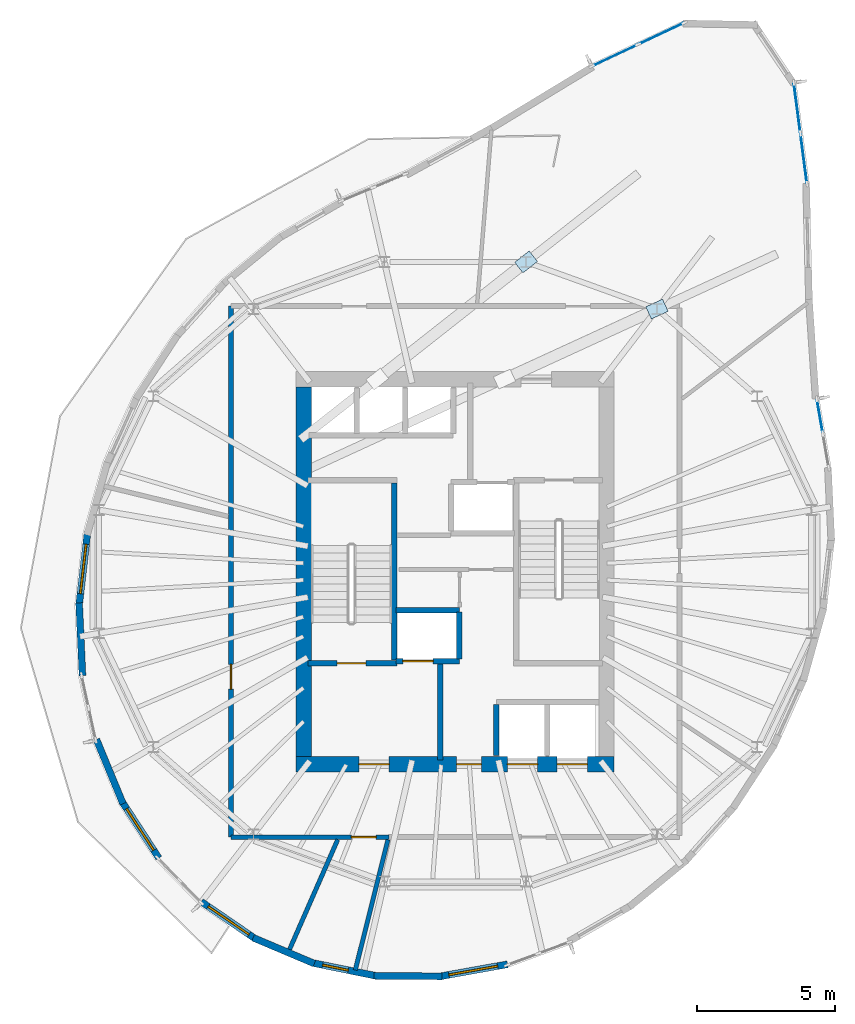
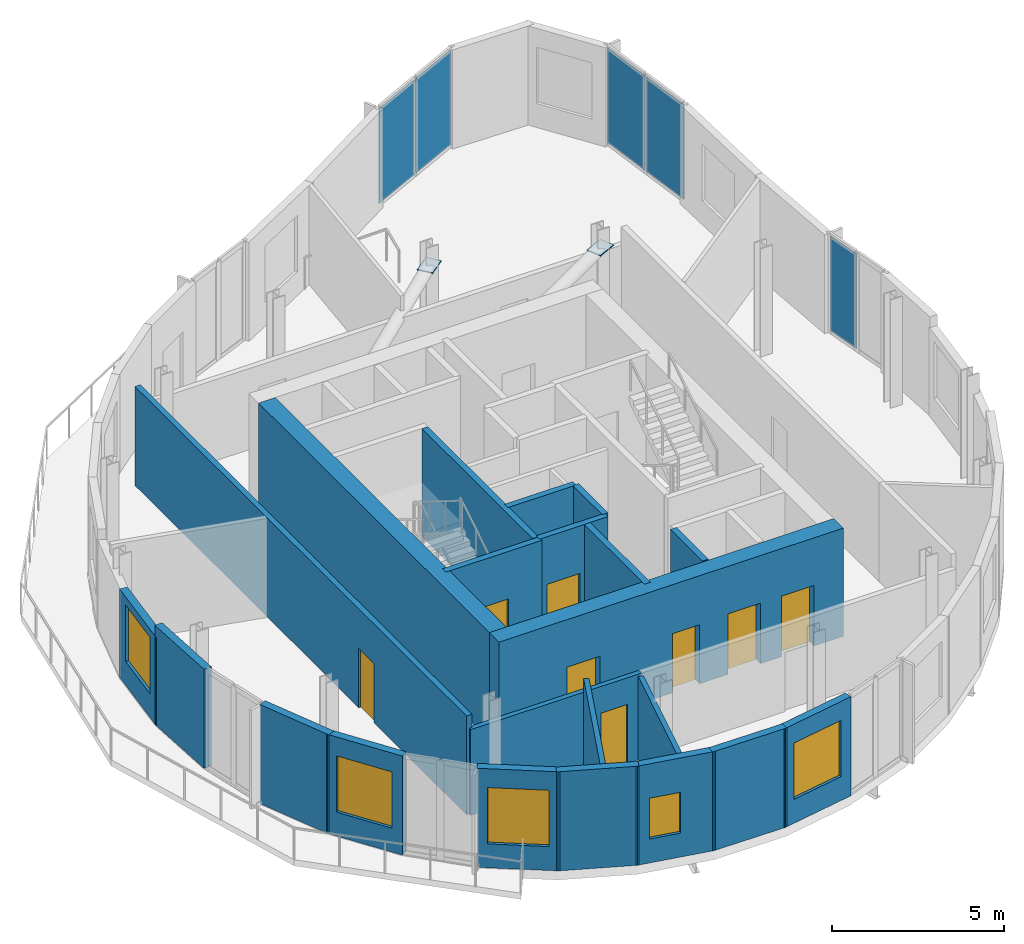
# One storey, part 4 of 8: 22 walls, 8 doors, 7 plates, 5 windows, 13 openings, 3 elements without a shape of their own.
"""IFC4 building model written with IfcOpenShell, lengths in metres."""

from ifc_helpers import new_model, si_unit, direction, frame, frame_2d, origin, origin_2d, place, context, subcontext, project, spatial, rectangle, extrude, material, layer, layer_set, type_object, element, fill, aggregate, save


model = new_model("IFC4")

# Units and contexts
model_context = context("Model", 3, precision=1e-05, world=origin(), true_north=direction((0.0, 1.0)))
body_context = subcontext(model_context, "Body", "Model", "MODEL_VIEW")
ifc_project = project(units=[si_unit("LENGTHUNIT", "METRE"), si_unit("AREAUNIT", "SQUARE_METRE"), si_unit("VOLUMEUNIT", "CUBIC_METRE"), si_unit("PLANEANGLEUNIT", "RADIAN"), si_unit("MASSUNIT", "GRAM", prefix="KILO")], contexts=[model_context])

# Site, building, storey
site_placement = place(None, origin())
site = spatial("IfcSite", under=ifc_project, at=site_placement, CompositionType="ELEMENT")
building_placement = place(site_placement, origin())
building = spatial("IfcBuilding", under=site, at=building_placement, Name="Veldorim Arch Residences", CompositionType="ELEMENT")
storey_placement = place(building_placement, frame((0.0, 0.0, 243.0400390625)))
storey = spatial("IfcBuildingStorey", under=building, at=storey_placement, Name="L73", CompositionType="ELEMENT", Elevation=243.0400390625)

# Curtain wall, plates
ifc_material_1 = material(Name="Aluminium", Category="aluminium")
curtain_wall_type = type_object("IfcCurtainWallType", Name="Sky Lounge & Conservatory Tall Curtain Wall", PredefinedType="NOTDEFINED", material=ifc_material_1)
curtain_wall_1_placement = place(storey_placement, origin())
curtain_wall_1 = element("IfcCurtainWall", 1, at=curtain_wall_1_placement, inside=storey, type_object=curtain_wall_type, Name="L73 unitised curtain wall bay 02", PredefinedType="NOTDEFINED")
ifc_material_2 = material(Name="Laminated Low-E Glass", Category="glass")
ifc_layer_1 = layer(ifc_material_2, 0.031982421875, Name="Sky Lounge & Conservatory Tall Curtain Wall Glazing Panel 32")
ifc_layer_set_1 = layer_set([ifc_layer_1], Name="Laminated Low-E Glass")
plate_type_1 = type_object("IfcPlateType", Name="Sky Lounge & Conservatory Tall Curtain Wall Glazing Panel 32", PredefinedType="CURTAIN_PANEL", material=ifc_layer_set_1)
plate_1_placement = place(storey_placement, frame((37.808349609375, 42.7666015625, 0.080078125), z_axis=(0.0, 0.0, 1.0), x_axis=(0.904968826681, 0.425477875731, 0.0)))
plate_1 = element("IfcPlate", 2, at=plate_1_placement, type_object=plate_type_1, Name="CW-SKY panel 1.1", PredefinedType="CURTAIN_PANEL", context=body_context, shape_type="SweptSolid", body=[
    extrude(rectangle(XDim=1.781494140625, YDim=0.031982421875, at=origin_2d()), origin(), (0.0, 0.0, 1.0), 3.360107421875),
])
plate_2_placement = place(storey_placement, frame((39.492919921875, 43.55859375, 0.080078125), z_axis=(0.0, 0.0, 1.0), x_axis=(0.904968826681, 0.425477875731, 0.0)))
plate_2 = element("IfcPlate", 3, at=plate_2_placement, type_object=plate_type_1, Name="CW-SKY panel 2.1", PredefinedType="CURTAIN_PANEL", context=body_context, shape_type="SweptSolid", body=[
    extrude(rectangle(XDim=1.781494140625, YDim=0.031982421875, at=origin_2d()), origin(), (0.0, 0.0, 1.0), 3.360107421875),
])
aggregate(curtain_wall_1, [plate_1, plate_2])

# Curtain wall, plate
curtain_wall_2_placement = place(storey_placement, origin())
curtain_wall_2 = element("IfcCurtainWall", 4, at=curtain_wall_2_placement, inside=storey, type_object=curtain_wall_type, Name="L73 unitised curtain wall bay 32", PredefinedType="NOTDEFINED")
plate_3_placement = place(storey_placement, frame((45.254150390625, 29.654296875, 0.080078125), z_axis=(0.0, 0.0, 1.0), x_axis=(0.171232266461, -0.98523068919, 0.0)))
plate_3 = element("IfcPlate", 5, at=plate_3_placement, type_object=plate_type_1, Name="CW-SKY panel 1.1", PredefinedType="CURTAIN_PANEL", context=body_context, shape_type="SweptSolid", body=[
    extrude(rectangle(XDim=1.197509765625, YDim=0.031982421875, at=origin_2d()), origin(), (0.0, 0.0, 1.0), 3.360107421875),
])
aggregate(curtain_wall_2, [plate_3])

# Curtain wall, plates
curtain_wall_3_placement = place(storey_placement, origin())
curtain_wall_3 = element("IfcCurtainWall", 6, at=curtain_wall_3_placement, inside=storey, type_object=curtain_wall_type, Name="L73 unitised curtain wall bay 35", PredefinedType="NOTDEFINED")
plate_4_placement = place(storey_placement, frame((44.428466796875, 40.858642578125, 0.080078125), z_axis=(0.0, 0.0, 1.0), x_axis=(0.129800094047, -0.991540183545, 0.0)))
plate_4 = element("IfcPlate", 7, at=plate_4_placement, type_object=plate_type_1, Name="CW-SKY panel 1.1", PredefinedType="CURTAIN_PANEL", context=body_context, shape_type="SweptSolid", body=[
    extrude(rectangle(XDim=1.781494140625, YDim=0.031982421875, at=origin_2d()), origin(), (0.0, 0.0, 1.0), 3.360107421875),
])
plate_5_placement = place(storey_placement, frame((44.669921875, 39.012939453125, 0.080078125), z_axis=(0.0, 0.0, 1.0), x_axis=(0.129800094047, -0.991540183545, 0.0)))
plate_5 = element("IfcPlate", 8, at=plate_5_placement, type_object=plate_type_1, Name="CW-SKY panel 2.1", PredefinedType="CURTAIN_PANEL", context=body_context, shape_type="SweptSolid", body=[
    extrude(rectangle(XDim=1.781494140625, YDim=0.031982421875, at=origin_2d()), origin(), (0.0, 0.0, 1.0), 3.360107421875),
])
aggregate(curtain_wall_3, [plate_4, plate_5])

# Plates
ifc_material_3 = material(Name="Steel S355", Category="steel")
ifc_layer_2 = layer(ifc_material_3, 0.035888671875, Name="Welded Hollow-Section End-Cap & Gusset Plate 36")
ifc_layer_set_2 = layer_set([ifc_layer_2], Name="Steel S355")
plate_type_2 = type_object("IfcPlateType", Name="Welded Hollow-Section End-Cap & Gusset Plate 36", PredefinedType="USERDEFINED", material=ifc_layer_set_2)
for number, where, z_axis, x_axis, name in (
    (9, (39.33349609375, 33.54541015625, 3.0322265625), (0.0, 0.0, 1.0), (0.908712277409, 0.41742304307, 0.0), "Observation prow truss 1 back-span brace L73 welded joint gusset plate 2"),
    (10, (34.5751953125, 35.259521484375, 3.0322265625), (0.0, 0.0, 1.0), (0.785630181881, 0.618696385409, 0.0), "Observation prow truss 2 back-span brace L73 welded joint gusset plate 2"),
):
    element("IfcPlate", number, at=place(storey_placement, frame(where, z_axis=z_axis, x_axis=x_axis)), inside=storey, type_object=plate_type_2, Name=name, ObjectType="GUSSET PLATE", PredefinedType="USERDEFINED", context=body_context, shape_type="SweptSolid", body=[
        extrude(rectangle(XDim=0.6708984375, YDim=0.486083984375, at=origin_2d()), origin(), (0.0, 0.0, 1.0), 0.035888671875),
    ])

# Wall, opening, door
ifc_material_4 = material(Name="Lightweight Masonry Block & Gypsum", Category="masonry")
ifc_layer_3 = layer(ifc_material_4, 0.179931640625, Name="Compartment & Corridor Fire-Rated Party Wall 180")
ifc_layer_set_3 = layer_set([ifc_layer_3], Name="Lightweight Masonry Block & Gypsum")
wall_type_1 = type_object("IfcWallType", Name="Compartment & Corridor Fire-Rated Party Wall 180", PredefinedType="PARTITIONING", material=ifc_layer_set_3)
wall_1_placement = place(storey_placement, frame((23.85009765625, 14.35009765625, 0.0), z_axis=(0.0, 0.0, 1.0), x_axis=(0.0, 1.0, 0.0)))
wall_1 = element("IfcWall", 11, at=wall_1_placement, inside=storey, type_object=wall_type_1, Name="L73 interior wall WL-SKY-L73-003", PredefinedType="PARTITIONING", context=body_context, shape_type="SweptSolid", body=[
    extrude(rectangle(XDim=19.2998046875, YDim=0.179931640625, at=frame_2d((9.64990234375, 0.0))), origin(), (0.0, 0.0, 1.0), 3.514892578125),
])
opening_1_placement = place(wall_1_placement, frame((5.377197265625, 0.0, 0.0)))
opening_1 = element("IfcOpeningElement", 12, at=opening_1_placement, cuts=wall_1, Name="Opening DR-INT", PredefinedType="OPENING", context=body_context, shape_type="SweptSolid", body=[
    extrude(rectangle(XDim=0.89990234375, YDim=2.10009765625, at=frame_2d((0.449951171875, 1.050048828125))), frame((0.0, 0.099853515625, 0.0), z_axis=(0.0, -1.0, 0.0), x_axis=(1.0, 0.0, 0.0)), (0.0, 0.0, 1.0), 0.199951171875),
])
ifc_material_5 = material(Name="Engineered Timber", Category="wood")
door_type_1 = type_object("IfcDoorType", Name="Apartment Internal Room Timber Door 900x2100", OperationType="SINGLE_SWING_LEFT", PredefinedType="DOOR", material=ifc_material_5)
door_1_placement = place(opening_1_placement, origin())
door_1 = element("IfcDoor", 13, at=door_1_placement, inside=storey, type_object=door_type_1, Name="L73 interior door DR-SKY-L73-003", OperationType="SINGLE_SWING_LEFT", OverallHeight=2.10009765625, OverallWidth=0.89990234375, PredefinedType="DOOR", context=body_context, shape_type="SweptSolid", body=[
    extrude(rectangle(XDim=0.89990234375, YDim=2.10009765625, at=frame_2d((0.449951171875, 1.050048828125))), frame((0.0, 0.02490234375, 0.0), z_axis=(0.0, -1.0, 0.0), x_axis=(1.0, 0.0, 0.0)), (0.0, 0.0, 1.0), 0.050048828125),
])
fill(opening_1, door_1)

# Wall
ifc_material_6 = material(Name="Concrete C50/60", Category="concrete")
ifc_layer_4 = layer(ifc_material_6, 0.199951171875, Name="Core Stair & Lift Shaft Enclosure Wall 200")
ifc_layer_set_4 = layer_set([ifc_layer_4], Name="Concrete C50/60")
wall_type_2 = type_object("IfcWallType", Name="Core Stair & Lift Shaft Enclosure Wall 200", PredefinedType="SHEAR", material=ifc_layer_set_4)
wall_2_placement = place(storey_placement, frame((29.7900390625, 20.780029296875, 0.0), z_axis=(0.0, 0.0, 1.0), x_axis=(0.0, 1.0, 0.0)))
element("IfcWall", 14, at=wall_2_placement, inside=storey, type_object=wall_type_2, Name="L73 shaft wall WL-SHF-L73-ST1-E", PredefinedType="SHEAR", context=body_context, shape_type="SweptSolid", body=[
    extrude(rectangle(XDim=6.43994140625, YDim=0.199951171875, at=frame_2d((3.219970703125, 0.0))), origin(), (0.0, 0.0, 1.0), 3.83984375),
])

# Wall, opening, door
wall_3_placement = place(storey_placement, frame((26.64990234375, 20.669921875, 0.0), z_axis=(0.0, 0.0, 1.0), x_axis=(1.0, 0.0, 0.0)))
wall_3 = element("IfcWall", 15, at=wall_3_placement, inside=storey, type_object=wall_type_2, Name="L73 shaft wall WL-SHF-L73-ST1-S", PredefinedType="SHEAR", context=body_context, shape_type="SweptSolid", body=[
    extrude(rectangle(XDim=3.239990234375, YDim=0.199951171875, at=frame_2d((1.6201171875, 0.0))), origin(), (0.0, 0.0, 1.0), 3.83984375),
])
opening_2_placement = place(wall_3_placement, frame((1.054931640625, 0.0, 0.0)))
opening_2 = element("IfcOpeningElement", 16, at=opening_2_placement, cuts=wall_3, Name="Opening DR-ST", PredefinedType="OPENING", context=body_context, shape_type="SweptSolid", body=[
    extrude(rectangle(XDim=1.050048828125, YDim=2.14990234375, at=frame_2d((0.52490234375, 1.074951171875))), frame((0.0, 0.10986328125, 0.0), z_axis=(0.0, -1.0, 0.0), x_axis=(1.0, 0.0, 0.0)), (0.0, 0.0, 1.0), 0.219970703125),
])
ifc_material_7 = material(Name="Fire-Rated Steel", Category="steel")
door_type_2 = type_object("IfcDoorType", Name="Exit Staircase Self-Closing Fire Door 1050x2150", OperationType="SINGLE_SWING_LEFT", PredefinedType="DOOR", material=ifc_material_7)
door_2_placement = place(opening_2_placement, origin())
door_2 = element("IfcDoor", 17, at=door_2_placement, inside=storey, type_object=door_type_2, Name="L73 interior door DR-L73-ST1", OperationType="SINGLE_SWING_LEFT", OverallHeight=2.14990234375, OverallWidth=1.050048828125, PredefinedType="DOOR", context=body_context, shape_type="SweptSolid", body=[
    extrude(rectangle(XDim=1.050048828125, YDim=2.14990234375, at=frame_2d((0.52490234375, 1.074951171875))), frame((0.0, 0.02490234375, 0.0), z_axis=(0.0, -1.0, 0.0), x_axis=(1.0, 0.0, 0.0)), (0.0, 0.0, 1.0), 0.050048828125),
])
fill(opening_2, door_2)

# Wall
wall_4_placement = place(storey_placement, frame((31.449951171875, 17.14990234375, 0.0), z_axis=(0.0, 0.0, 1.0), x_axis=(0.0, 1.0, 0.0)))
element("IfcWall", 18, at=wall_4_placement, inside=storey, type_object=wall_type_2, Name="L73 shaft wall WL-FFL1-L73-E", PredefinedType="SHEAR", context=body_context, shape_type="SweptSolid", body=[
    extrude(rectangle(XDim=3.5, YDim=0.199951171875, at=frame_2d((1.75, 0.0))), origin(), (0.0, 0.0, 1.0), 3.83984375),
])

# Wall, opening, door
wall_5_placement = place(storey_placement, frame((29.85009765625, 20.75, 0.0), z_axis=(0.0, 0.0, 1.0), x_axis=(1.0, 0.0, 0.0)))
wall_5 = element("IfcWall", 19, at=wall_5_placement, inside=storey, type_object=wall_type_2, Name="L73 shaft wall WL-FL01-L73-S", PredefinedType="SHEAR", context=body_context, shape_type="SweptSolid", body=[
    extrude(rectangle(XDim=2.2998046875, YDim=0.199951171875, at=frame_2d((1.14990234375, 0.0))), origin(), (0.0, 0.0, 1.0), 3.83984375),
])
opening_3_placement = place(wall_5_placement, frame((0.25, 0.0, 0.0)))
opening_3 = element("IfcOpeningElement", 20, at=opening_3_placement, cuts=wall_5, Name="Opening LD-FF", PredefinedType="OPENING", context=body_context, shape_type="SweptSolid", body=[
    extrude(rectangle(XDim=1.10009765625, YDim=2.14990234375, at=frame_2d((0.550048828125, 1.074951171875))), frame((0.0, 0.10986328125, 0.0), z_axis=(0.0, -1.0, 0.0), x_axis=(1.0, 0.0, 0.0)), (0.0, 0.0, 1.0), 0.219970703125),
])
ifc_material_8 = material(Name="Stainless Steel", Category="steel")
door_type_3 = type_object("IfcDoorType", Name="Firefighting Lift Bi-Parting Sliding Landing Door 1100x2150", OperationType="DOUBLE_DOOR_SLIDING", PredefinedType="DOOR", material=ifc_material_8)
door_3_placement = place(opening_3_placement, origin())
door_3 = element("IfcDoor", 21, at=door_3_placement, inside=storey, type_object=door_type_3, Name="L73 lift landing door LD-L73-FL01", OperationType="DOUBLE_DOOR_SLIDING", OverallHeight=2.14990234375, OverallWidth=1.10009765625, PredefinedType="DOOR", context=body_context, shape_type="SweptSolid", body=[
    extrude(rectangle(XDim=1.10009765625, YDim=2.14990234375, at=frame_2d((0.550048828125, 1.074951171875))), frame((0.0, 0.02490234375, 0.0), z_axis=(0.0, -1.0, 0.0), x_axis=(1.0, 0.0, 0.0)), (0.0, 0.0, 1.0), 0.050048828125),
])
fill(opening_3, door_3)

# Walls
wall_6_placement = place(storey_placement, frame((29.85009765625, 22.60009765625, 0.0), z_axis=(0.0, 0.0, 1.0), x_axis=(1.0, 0.0, 0.0)))
element("IfcWall", 22, at=wall_6_placement, inside=storey, type_object=wall_type_2, Name="L73 shaft wall WL-FL01-L73-N", PredefinedType="SHEAR", context=body_context, shape_type="SweptSolid", body=[
    extrude(rectangle(XDim=2.2998046875, YDim=0.199951171875, at=frame_2d((1.14990234375, 0.0))), origin(), (0.0, 0.0, 1.0), 3.83984375),
])
wall_7_placement = place(storey_placement, frame((32.14990234375, 20.820068359375, 0.0), z_axis=(0.0, 0.0, 1.0), x_axis=(0.0, 1.0, 0.0)))
element("IfcWall", 23, at=wall_7_placement, inside=storey, type_object=wall_type_2, Name="L73 shaft wall WL-FL01-L73-E", PredefinedType="SHEAR", context=body_context, shape_type="SweptSolid", body=[
    extrude(rectangle(XDim=1.7099609375, YDim=0.199951171875, at=frame_2d((0.85498046875, 0.0))), origin(), (0.0, 0.0, 1.0), 3.83984375),
])
wall_8_placement = place(storey_placement, frame((33.5, 17.320068359375, 0.0), z_axis=(0.0, 0.0, 1.0), x_axis=(0.0, 1.0, 0.0)))
element("IfcWall", 24, at=wall_8_placement, inside=storey, type_object=wall_type_2, Name="L73 shaft wall WL-OL-L73-W", PredefinedType="SHEAR", context=body_context, shape_type="SweptSolid", body=[
    extrude(rectangle(XDim=1.85986328125, YDim=0.199951171875, at=frame_2d((0.929931640625, 0.0))), origin(), (0.0, 0.0, 1.0), 3.83984375),
])

# Wall, opening, window
ifc_material_9 = material(Name="Precast concrete C40/50", Category="concrete")
ifc_layer_5 = layer(ifc_material_9, 0.25, Name="Tower Terracotta Spandrel & Pier Wall 250")
ifc_layer_set_5 = layer_set([ifc_layer_5], Name="Precast concrete C40/50")
wall_type_3 = type_object("IfcWallType", Name="Tower Terracotta Spandrel & Pier Wall 250", PredefinedType="SOLIDWALL", material=ifc_layer_set_5)
wall_9_placement = place(storey_placement, frame((18.322509765625, 22.756591796875, 0.0), z_axis=(0.0, 0.0, 1.0), x_axis=(0.115121415392, 0.993351428105, 0.0)))
wall_9 = element("IfcWall", 25, at=wall_9_placement, inside=storey, type_object=wall_type_3, Name="L73 terracotta facade wall 12", PredefinedType="SOLIDWALL", context=body_context, shape_type="SweptSolid", body=[
    extrude(rectangle(XDim=2.701904296875, YDim=0.25, at=frame_2d((1.35107421875, 0.0))), origin(), (0.0, 0.0, 1.0), 3.136962890625),
])
opening_4_placement = place(wall_9_placement, frame((0.450927734375, 0.0, 0.85009765625)))
opening_4 = element("IfcOpeningElement", 26, at=opening_4_placement, cuts=wall_9, Name="Opening WN-04", PredefinedType="OPENING", context=body_context, shape_type="SweptSolid", body=[
    extrude(rectangle(XDim=1.800048828125, YDim=2.0, at=frame_2d((0.89990234375, 1.0))), frame((0.0, 0.135009765625, 0.0), z_axis=(0.0, -1.0, 0.0), x_axis=(1.0, 0.0, 0.0)), (0.0, 0.0, 1.0), 0.27001953125),
])
ifc_material_10 = material(Name="Laminated Low-E Glass", Category="glass")
window_type_1 = type_object("IfcWindowType", Name="Sky Lounge Tall Picture Window 1800x1370", PartitioningType="SINGLE_PANEL", PredefinedType="WINDOW", material=ifc_material_10)
window_1_placement = place(opening_4_placement, origin())
window_1 = element("IfcWindow", 27, at=window_1_placement, inside=storey, type_object=window_type_1, Name="L73 solar-control facade window 12", OverallHeight=2.0, OverallWidth=1.800048828125, PartitioningType="SINGLE_PANEL", PredefinedType="WINDOW", context=body_context, shape_type="SweptSolid", body=[
    extrude(rectangle(XDim=1.800048828125, YDim=2.0, at=frame_2d((0.89990234375, 1.0))), frame((0.0, 0.030029296875, 0.0), z_axis=(0.0, -1.0, 0.0), x_axis=(1.0, 0.0, 0.0)), (0.0, 0.0, 1.0), 0.06005859375),
])
fill(opening_4, window_1)

# Walls
wall_10_placement = place(storey_placement, frame((18.44921875, 20.218505859375, 0.0), z_axis=(0.0, 0.0, 1.0), x_axis=(-0.046326751692, 0.998926339666, 0.0)))
element("IfcWall", 28, at=wall_10_placement, inside=storey, type_object=wall_type_3, Name="L73 terracotta facade wall 13", PredefinedType="SOLIDWALL", context=body_context, shape_type="SweptSolid", body=[
    extrude(rectangle(XDim=2.65087890625, YDim=0.25, at=frame_2d((1.325439453125, 0.0))), origin(), (0.0, 0.0, 1.0), 3.52001953125),
])
wall_11_placement = place(storey_placement, frame((19.922607421875, 15.562744140625, 0.0), z_axis=(0.0, 0.0, 1.0), x_axis=(-0.382320564885, 0.924029753669, 0.0)))
element("IfcWall", 29, at=wall_11_placement, inside=storey, type_object=wall_type_3, Name="L73 terracotta facade wall 15", PredefinedType="SOLIDWALL", context=body_context, shape_type="SweptSolid", body=[
    extrude(rectangle(XDim=2.531982421875, YDim=0.25, at=frame_2d((1.26611328125, 0.0))), origin(), (0.0, 0.0, 1.0), 3.52001953125),
])

# Wall, opening, window
wall_12_placement = place(storey_placement, frame((21.2236328125, 13.587158203125, 0.0), z_axis=(0.0, 0.0, 1.0), x_axis=(-0.546327887975, 0.837571393268, 0.0)))
wall_12 = element("IfcWall", 30, at=wall_12_placement, inside=storey, type_object=wall_type_3, Name="L73 terracotta facade wall 16", PredefinedType="SOLIDWALL", context=body_context, shape_type="SweptSolid", body=[
    extrude(rectangle(XDim=2.47802734375, YDim=0.25, at=frame_2d((1.239013671875, 0.0))), origin(), (0.0, 0.0, 1.0), 3.52001953125),
])
opening_5_placement = place(wall_12_placement, frame((0.339111328125, 0.0, 0.85009765625)))
opening_5 = element("IfcOpeningElement", 31, at=opening_5_placement, cuts=wall_12, Name="Opening WN-04", PredefinedType="OPENING", context=body_context, shape_type="SweptSolid", body=[
    extrude(rectangle(XDim=1.800048828125, YDim=2.0, at=frame_2d((0.89990234375, 1.0))), frame((0.0, 0.135009765625, 0.0), z_axis=(0.0, -1.0, 0.0), x_axis=(1.0, 0.0, 0.0)), (0.0, 0.0, 1.0), 0.27001953125),
])
window_2_placement = place(opening_5_placement, origin())
window_2 = element("IfcWindow", 32, at=window_2_placement, inside=storey, type_object=window_type_1, Name="L73 solar-control facade window 16", OverallHeight=2.0, OverallWidth=1.800048828125, PartitioningType="SINGLE_PANEL", PredefinedType="WINDOW", context=body_context, shape_type="SweptSolid", body=[
    extrude(rectangle(XDim=1.800048828125, YDim=2.0, at=frame_2d((0.89990234375, 1.0))), frame((0.0, 0.030029296875, 0.0), z_axis=(0.0, -1.0, 0.0), x_axis=(1.0, 0.0, 0.0)), (0.0, 0.0, 1.0), 0.06005859375),
])
fill(opening_5, window_2)

wall_13_placement = place(storey_placement, frame((24.755615234375, 10.63720703125, 0.0), z_axis=(0.0, 0.0, 1.0), x_axis=(-0.824905308137, 0.565270937345, 0.0)))
wall_13 = element("IfcWall", 33, at=wall_13_placement, inside=storey, type_object=wall_type_3, Name="L73 terracotta facade wall 18", PredefinedType="SOLIDWALL", context=body_context, shape_type="SweptSolid", body=[
    extrude(rectangle(XDim=2.414794921875, YDim=0.25, at=frame_2d((1.20751953125, 0.0))), origin(), (0.0, 0.0, 1.0), 3.52001953125),
])
opening_6_placement = place(wall_13_placement, frame((0.306884765625, 0.0, 0.85009765625)))
opening_6 = element("IfcOpeningElement", 34, at=opening_6_placement, cuts=wall_13, Name="Opening WN-04", PredefinedType="OPENING", context=body_context, shape_type="SweptSolid", body=[
    extrude(rectangle(XDim=1.800048828125, YDim=2.0, at=frame_2d((0.89990234375, 1.0))), frame((0.0, 0.135009765625, 0.0), z_axis=(0.0, -1.0, 0.0), x_axis=(1.0, 0.0, 0.0)), (0.0, 0.0, 1.0), 0.27001953125),
])
window_3_placement = place(opening_6_placement, origin())
window_3 = element("IfcWindow", 35, at=window_3_placement, inside=storey, type_object=window_type_1, Name="L73 solar-control facade window 18", OverallHeight=2.0, OverallWidth=1.800048828125, PartitioningType="SINGLE_PANEL", PredefinedType="WINDOW", context=body_context, shape_type="SweptSolid", body=[
    extrude(rectangle(XDim=1.800048828125, YDim=2.0, at=frame_2d((0.89990234375, 1.0))), frame((0.0, 0.030029296875, 0.0), z_axis=(0.0, -1.0, 0.0), x_axis=(1.0, 0.0, 0.0)), (0.0, 0.0, 1.0), 0.06005859375),
])
fill(opening_6, window_3)

# Wall
wall_14_placement = place(storey_placement, frame((26.87890625, 9.751220703125, 0.0), z_axis=(0.0, 0.0, 1.0), x_axis=(-0.920923989116, 0.389742230546, 0.0)))
element("IfcWall", 36, at=wall_14_placement, inside=storey, type_object=wall_type_3, Name="L73 terracotta facade wall 19", PredefinedType="SOLIDWALL", context=body_context, shape_type="SweptSolid", body=[
    extrude(rectangle(XDim=2.414794921875, YDim=0.25, at=frame_2d((1.20751953125, 0.0))), origin(), (0.0, 0.0, 1.0), 3.52001953125),
])

# Wall, opening, window
wall_15_placement = place(storey_placement, frame((29.156982421875, 9.297119140625, 0.0), z_axis=(0.0, 0.0, 1.0), x_axis=(-0.979739512471, 0.200276028779, 0.0)))
wall_15 = element("IfcWall", 37, at=wall_15_placement, inside=storey, type_object=wall_type_3, Name="L73 terracotta facade wall 20", PredefinedType="SOLIDWALL", context=body_context, shape_type="SweptSolid", body=[
    extrude(rectangle(XDim=2.436767578125, YDim=0.25, at=frame_2d((1.21826171875, 0.0))), origin(), (0.0, 0.0, 1.0), 3.52001953125),
])
opening_7_placement = place(wall_15_placement, frame((1.068115234375, 0.0, 0.85009765625)))
opening_7 = element("IfcOpeningElement", 38, at=opening_7_placement, cuts=wall_15, Name="Opening WN-05", PredefinedType="OPENING", context=body_context, shape_type="SweptSolid", body=[
    extrude(rectangle(XDim=0.949951171875, YDim=1.449951171875, at=frame_2d((0.47509765625, 0.72509765625))), frame((0.0, 0.135009765625, 0.0), z_axis=(0.0, -1.0, 0.0), x_axis=(1.0, 0.0, 0.0)), (0.0, 0.0, 1.0), 0.27001953125),
])
ifc_material_11 = material(Name="Laminated Low-E Glass", Category="glass")
window_type_2 = type_object("IfcWindowType", Name="Residential Compact Casement Window 950x1450", PartitioningType="SINGLE_PANEL", PredefinedType="WINDOW", material=ifc_material_11)
window_4_placement = place(opening_7_placement, origin())
window_4 = element("IfcWindow", 39, at=window_4_placement, inside=storey, type_object=window_type_2, Name="L73 solar-control facade window 20", OverallHeight=1.449951171875, OverallWidth=0.949951171875, PartitioningType="SINGLE_PANEL", PredefinedType="WINDOW", context=body_context, shape_type="SweptSolid", body=[
    extrude(rectangle(XDim=0.949951171875, YDim=1.449951171875, at=frame_2d((0.47509765625, 0.72509765625))), frame((0.0, 0.030029296875, 0.0), z_axis=(0.0, -1.0, 0.0), x_axis=(1.0, 0.0, 0.0)), (0.0, 0.0, 1.0), 0.06005859375),
])
fill(opening_7, window_4)

# Wall
wall_16_placement = place(storey_placement, frame((31.521484375, 9.28857421875, 0.0), z_axis=(0.0, 0.0, 1.0), x_axis=(-0.999965743314, 0.008277209543, 0.0)))
element("IfcWall", 40, at=wall_16_placement, inside=storey, type_object=wall_type_3, Name="L73 terracotta facade wall 21", PredefinedType="SOLIDWALL", context=body_context, shape_type="SweptSolid", body=[
    extrude(rectangle(XDim=2.4775390625, YDim=0.25, at=frame_2d((1.23876953125, 0.0))), origin(), (0.0, 0.0, 1.0), 3.52001953125),
])

# Wall, opening, window
wall_17_placement = place(storey_placement, frame((33.901611328125, 9.72607421875, 0.0), z_axis=(0.0, 0.0, 1.0), x_axis=(-0.984294411641, -0.176534730896, 0.0)))
wall_17 = element("IfcWall", 41, at=wall_17_placement, inside=storey, type_object=wall_type_3, Name="L73 terracotta facade wall 22", PredefinedType="SOLIDWALL", context=body_context, shape_type="SweptSolid", body=[
    extrude(rectangle(XDim=2.5322265625, YDim=0.25, at=frame_2d((1.26611328125, 0.0))), origin(), (0.0, 0.0, 1.0), 3.52001953125),
])
opening_8_placement = place(wall_17_placement, frame((0.365966796875, 0.0, 0.85009765625)))
opening_8 = element("IfcOpeningElement", 42, at=opening_8_placement, cuts=wall_17, Name="Opening WN-04", PredefinedType="OPENING", context=body_context, shape_type="SweptSolid", body=[
    extrude(rectangle(XDim=1.800048828125, YDim=2.0, at=frame_2d((0.89990234375, 1.0))), frame((0.0, 0.135009765625, 0.0), z_axis=(0.0, -1.0, 0.0), x_axis=(1.0, 0.0, 0.0)), (0.0, 0.0, 1.0), 0.27001953125),
])
window_5_placement = place(opening_8_placement, origin())
window_5 = element("IfcWindow", 43, at=window_5_placement, inside=storey, type_object=window_type_1, Name="L73 solar-control facade window 22", OverallHeight=2.0, OverallWidth=1.800048828125, PartitioningType="SINGLE_PANEL", PredefinedType="WINDOW", context=body_context, shape_type="SweptSolid", body=[
    extrude(rectangle(XDim=1.800048828125, YDim=2.0, at=frame_2d((0.89990234375, 1.0))), frame((0.0, 0.030029296875, 0.0), z_axis=(0.0, -1.0, 0.0), x_axis=(1.0, 0.0, 0.0)), (0.0, 0.0, 1.0), 0.06005859375),
])
fill(opening_8, window_5)

# Wall, openings, doors
ifc_material_12 = material(Name="Concrete C50/60", Category="concrete")
ifc_layer_6 = layer(ifc_material_12, 0.5, Name="Upper Central Core Shear Wall 560")
ifc_layer_set_6 = layer_set([ifc_layer_6], Name="Concrete C50/60")
wall_type_4 = type_object("IfcWallType", Name="Upper Central Core Shear Wall 560", PredefinedType="SHEAR", material=ifc_layer_set_6)
wall_18_placement = place(storey_placement, frame((26.219970703125, 17.0, 0.0), z_axis=(0.0, 0.0, 1.0), x_axis=(1.0, 0.0, 0.0)))
wall_18 = element("IfcWall", 44, at=wall_18_placement, inside=storey, type_object=wall_type_4, Name="L73 central core south shear wall", PredefinedType="SHEAR", context=body_context, shape_type="SweptSolid", body=[
    extrude(rectangle(XDim=11.56005859375, YDim=0.56005859375, at=frame_2d((5.780029296875, 0.0))), origin(), (0.0, 0.0, 1.0), 3.83984375),
])
opening_9_placement = place(wall_18_placement, frame((2.280029296875, 0.0, 0.0)))
opening_9 = element("IfcOpeningElement", 45, at=opening_9_placement, cuts=wall_18, Name="Opening DR-FFL", PredefinedType="OPENING", context=body_context, shape_type="SweptSolid", body=[
    extrude(rectangle(XDim=1.10009765625, YDim=2.14990234375, at=frame_2d((0.550048828125, 1.074951171875))), frame((0.0, 0.2900390625, 0.0), z_axis=(0.0, -1.0, 0.0), x_axis=(1.0, 0.0, 0.0)), (0.0, 0.0, 1.0), 0.580078125),
])
opening_10_placement = place(wall_18_placement, frame((7.679931640625, 0.0, 0.0)))
opening_10 = element("IfcOpeningElement", 46, at=opening_10_placement, cuts=wall_18, Name="Opening LD-OB", PredefinedType="OPENING", context=body_context, shape_type="SweptSolid", body=[
    extrude(rectangle(XDim=1.10009765625, YDim=2.14990234375, at=frame_2d((0.550048828125, 1.074951171875))), frame((0.0, 0.2900390625, 0.0), z_axis=(0.0, -1.0, 0.0), x_axis=(1.0, 0.0, 0.0)), (0.0, 0.0, 1.0), 0.580078125),
])
opening_11_placement = place(wall_18_placement, frame((9.47998046875, 0.0, 0.0)))
opening_11 = element("IfcOpeningElement", 47, at=opening_11_placement, cuts=wall_18, Name="Opening LD-OB", PredefinedType="OPENING", context=body_context, shape_type="SweptSolid", body=[
    extrude(rectangle(XDim=1.10009765625, YDim=2.14990234375, at=frame_2d((0.550048828125, 1.074951171875))), frame((0.0, 0.2900390625, 0.0), z_axis=(0.0, -1.0, 0.0), x_axis=(1.0, 0.0, 0.0)), (0.0, 0.0, 1.0), 0.580078125),
])
opening_12_placement = place(wall_18_placement, frame((5.830078125, 0.0, 0.0)))
opening_12 = element("IfcOpeningElement", 48, at=opening_12_placement, cuts=wall_18, Name="Opening DR-SVC", PredefinedType="OPENING", context=body_context, shape_type="SweptSolid", body=[
    extrude(rectangle(XDim=0.89990234375, YDim=2.10009765625, at=frame_2d((0.449951171875, 1.050048828125))), frame((0.0, 0.2900390625, 0.0), z_axis=(0.0, -1.0, 0.0), x_axis=(1.0, 0.0, 0.0)), (0.0, 0.0, 1.0), 0.580078125),
])
ifc_material_13 = material(Name="Fire-Rated Steel & Vision Glass", Category="steel")
door_type_4 = type_object("IfcDoorType", Name="Firefighting Lobby Smoke-Stop Fire Door 1100x2150", OperationType="SINGLE_SWING_LEFT", PredefinedType="DOOR", material=ifc_material_13)
door_4_placement = place(opening_9_placement, origin())
door_4 = element("IfcDoor", 49, at=door_4_placement, inside=storey, type_object=door_type_4, Name="L73 interior door DR-L73-FFL1", OperationType="SINGLE_SWING_RIGHT", OverallHeight=2.14990234375, OverallWidth=1.10009765625, PredefinedType="DOOR", context=body_context, shape_type="SweptSolid", body=[
    extrude(rectangle(XDim=1.10009765625, YDim=2.14990234375, at=frame_2d((0.550048828125, 1.074951171875))), frame((0.0, 0.02490234375, 0.0), z_axis=(0.0, -1.0, 0.0), x_axis=(1.0, 0.0, 0.0)), (0.0, 0.0, 1.0), 0.050048828125),
])
fill(opening_9, door_4)
ifc_material_14 = material(Name="Stainless Steel & Fire Glass", Category="steel")
door_type_5 = type_object("IfcDoorType", Name="Observation Shuttle Glazed Sliding Landing Door 1100x2150", OperationType="DOUBLE_DOOR_SLIDING", PredefinedType="DOOR", material=ifc_material_14)
door_5_placement = place(opening_10_placement, origin())
door_5 = element("IfcDoor", 50, at=door_5_placement, inside=storey, type_object=door_type_5, Name="L73 lift landing door LD-L73-OL-01", OperationType="DOUBLE_DOOR_SLIDING", OverallHeight=2.14990234375, OverallWidth=1.10009765625, PredefinedType="DOOR", context=body_context, shape_type="SweptSolid", body=[
    extrude(rectangle(XDim=1.10009765625, YDim=2.14990234375, at=frame_2d((0.550048828125, 1.074951171875))), frame((0.0, 0.02490234375, 0.0), z_axis=(0.0, -1.0, 0.0), x_axis=(1.0, 0.0, 0.0)), (0.0, 0.0, 1.0), 0.050048828125),
])
fill(opening_10, door_5)
door_6_placement = place(opening_11_placement, origin())
door_6 = element("IfcDoor", 51, at=door_6_placement, inside=storey, type_object=door_type_5, Name="L73 lift landing door LD-L73-OL-02", OperationType="DOUBLE_DOOR_SLIDING", OverallHeight=2.14990234375, OverallWidth=1.10009765625, PredefinedType="DOOR", context=body_context, shape_type="SweptSolid", body=[
    extrude(rectangle(XDim=1.10009765625, YDim=2.14990234375, at=frame_2d((0.550048828125, 1.074951171875))), frame((0.0, 0.02490234375, 0.0), z_axis=(0.0, -1.0, 0.0), x_axis=(1.0, 0.0, 0.0)), (0.0, 0.0, 1.0), 0.050048828125),
])
fill(opening_11, door_6)
ifc_material_15 = material(Name="Fire-Rated Steel", Category="steel")
door_type_6 = type_object("IfcDoorType", Name="Riser, Shelter & Plant Room Rated Steel Door 900x2100", OperationType="SINGLE_SWING_LEFT", PredefinedType="DOOR", material=ifc_material_15)
door_7_placement = place(opening_12_placement, origin())
door_7 = element("IfcDoor", 52, at=door_7_placement, inside=storey, type_object=door_type_6, Name="L73 interior door DR-L73-COR-ANC", OperationType="SINGLE_SWING_LEFT", OverallHeight=2.10009765625, OverallWidth=0.89990234375, PredefinedType="DOOR", context=body_context, shape_type="SweptSolid", body=[
    extrude(rectangle(XDim=0.89990234375, YDim=2.10009765625, at=frame_2d((0.449951171875, 1.050048828125))), frame((0.0, 0.02490234375, 0.0), z_axis=(0.0, -1.0, 0.0), x_axis=(1.0, 0.0, 0.0)), (0.0, 0.0, 1.0), 0.050048828125),
])
fill(opening_12, door_7)

# Wall
wall_19_placement = place(storey_placement, frame((26.5, 17.280029296875, 0.0), z_axis=(0.0, 0.0, 1.0), x_axis=(0.0, 1.0, 0.0)))
element("IfcWall", 53, at=wall_19_placement, inside=storey, type_object=wall_type_4, Name="L73 central core west shear wall", PredefinedType="SHEAR", context=body_context, shape_type="SweptSolid", body=[
    extrude(rectangle(XDim=13.43994140625, YDim=0.56005859375, at=frame_2d((6.719970703125, 0.0))), origin(), (0.0, 0.0, 1.0), 3.83984375),
])

# Wall, opening, door
ifc_material_16 = material(Name="Moisture-Resistant Gypsum & Stud", Category="gypsum")
ifc_layer_7 = layer(ifc_material_16, 0.159912109375, Name="Wet-Area Moisture-Resistant Plumbing Wall 160")
ifc_layer_set_7 = layer_set([ifc_layer_7], Name="Moisture-Resistant Gypsum & Stud")
wall_type_5 = type_object("IfcWallType", Name="Wet-Area Moisture-Resistant Plumbing Wall 160", PredefinedType="PLUMBINGWALL", material=ifc_layer_set_7)
wall_20_placement = place(storey_placement, frame((29.599609375, 14.35009765625, 0.0), z_axis=(0.0, 0.0, 1.0), x_axis=(-1.0, 0.0, 0.0)))
wall_20 = element("IfcWall", 54, at=wall_20_placement, inside=storey, type_object=wall_type_5, Name="L73 interior wall WL-SKY-L73-004", PredefinedType="PLUMBINGWALL", context=body_context, shape_type="SweptSolid", body=[
    extrude(rectangle(XDim=5.74951171875, YDim=0.159912109375, at=frame_2d((2.874755859375, 0.0))), origin(), (0.0, 0.0, 1.0), 3.0478515625),
])
opening_13_placement = place(wall_20_placement, frame((0.476806640625, 0.0, 0.0)))
opening_13 = element("IfcOpeningElement", 55, at=opening_13_placement, cuts=wall_20, Name="Opening DR-WC", PredefinedType="OPENING", context=body_context, shape_type="SweptSolid", body=[
    extrude(rectangle(XDim=0.89990234375, YDim=2.10009765625, at=frame_2d((0.449951171875, 1.050048828125))), frame((0.0, 0.08984375, 0.0), z_axis=(0.0, -1.0, 0.0), x_axis=(1.0, 0.0, 0.0)), (0.0, 0.0, 1.0), 0.179931640625),
])
ifc_material_17 = material(Name="Laminate Timber", Category="wood")
door_type_7 = type_object("IfcDoorType", Name="Bathroom & Accessible WC Moisture-Sealed Door 900x2100", OperationType="SINGLE_SWING_LEFT", PredefinedType="DOOR", material=ifc_material_17)
door_8_placement = place(opening_13_placement, origin())
door_8 = element("IfcDoor", 56, at=door_8_placement, inside=storey, type_object=door_type_7, Name="L73 interior door DR-SKY-L73-005", OperationType="SINGLE_SWING_LEFT", OverallHeight=2.10009765625, OverallWidth=0.89990234375, PredefinedType="DOOR", context=body_context, shape_type="SweptSolid", body=[
    extrude(rectangle(XDim=0.89990234375, YDim=2.10009765625, at=frame_2d((0.449951171875, 1.050048828125))), frame((0.0, 0.02490234375, 0.0), z_axis=(0.0, -1.0, 0.0), x_axis=(1.0, 0.0, 0.0)), (0.0, 0.0, 1.0), 0.050048828125),
])
fill(opening_13, door_8)

# Walls
wall_21_placement = place(storey_placement, frame((27.727783203125, 14.25830078125, 0.0), z_axis=(0.0, 0.0, 1.0), x_axis=(-0.40164607795, -0.91579497054, 0.0)))
element("IfcWall", 57, at=wall_21_placement, inside=storey, type_object=wall_type_5, Name="L73 interior wall WL-SKY-L73-010", PredefinedType="PLUMBINGWALL", context=body_context, shape_type="SweptSolid", body=[
    extrude(rectangle(XDim=4.427001953125, YDim=0.159912109375, at=frame_2d((2.21337890625, 0.0))), origin(), (0.0, 0.0, 1.0), 3.514892578125),
])
wall_22_placement = place(storey_placement, frame((28.366943359375, 9.514892578125, 0.0), z_axis=(0.0, 0.0, 1.0), x_axis=(0.243299941273, 0.969951101127, 0.0)))
element("IfcWall", 58, at=wall_22_placement, inside=storey, type_object=wall_type_5, Name="L73 interior wall WL-SKY-L73-011", PredefinedType="PLUMBINGWALL", context=body_context, shape_type="SweptSolid", body=[
    extrude(rectangle(XDim=4.884765625, YDim=0.159912109375, at=frame_2d((2.4423828125, 0.0))), origin(), (0.0, 0.0, 1.0), 2.96337890625),
])

save(model, "model.ifc")
